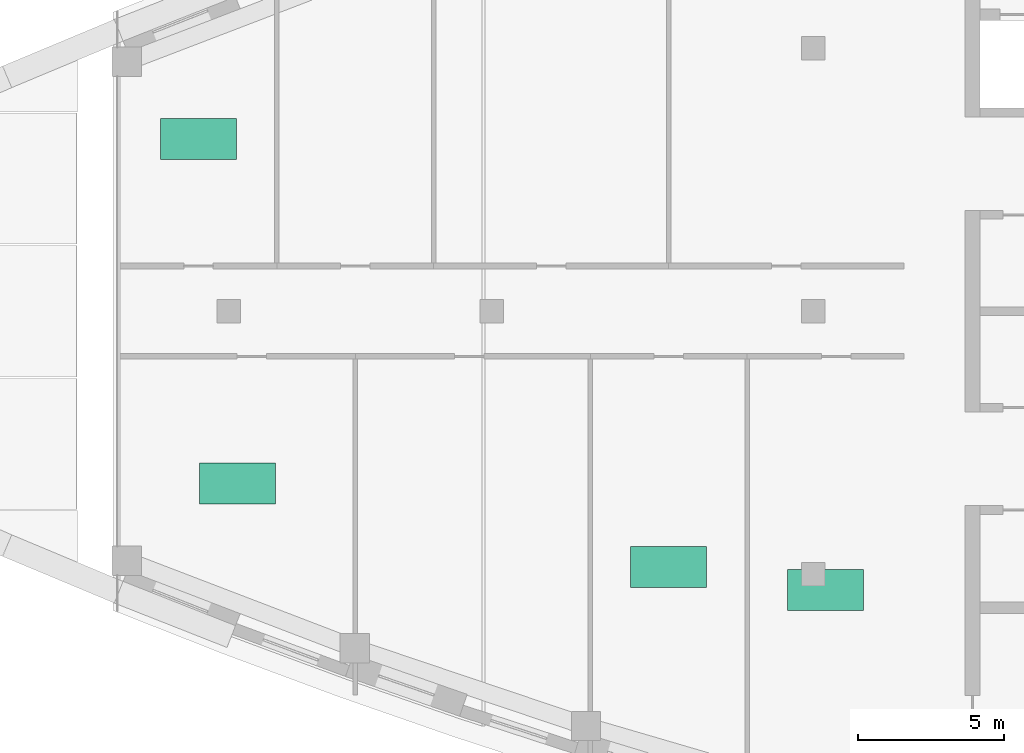
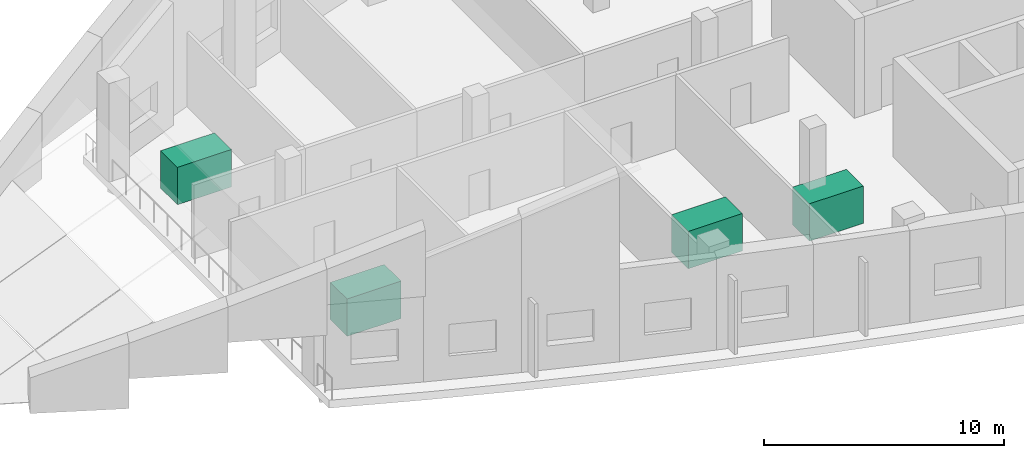
# One storey, part 8 of 8: 4 fans.
"""IFC4 building model written with IfcOpenShell, lengths in metres."""

from ifc_helpers import new_model, si_unit, direction, frame, origin, origin_2d, place, context, subcontext, project, spatial, rectangle, extrude, material, type_object, element, save


model = new_model("IFC4")

# Units and contexts
model_context = context("Model", 3, precision=1e-05, world=origin(), true_north=direction((0.0, 1.0)))
body_context = subcontext(model_context, "Body", "Model", "MODEL_VIEW")
ifc_project = project(units=[si_unit("LENGTHUNIT", "METRE"), si_unit("AREAUNIT", "SQUARE_METRE"), si_unit("VOLUMEUNIT", "CUBIC_METRE"), si_unit("PLANEANGLEUNIT", "RADIAN"), si_unit("MASSUNIT", "GRAM", prefix="KILO")], contexts=[model_context])

# Site, building, storey
site_placement = place(None, origin())
site = spatial("IfcSite", under=ifc_project, at=site_placement, CompositionType="ELEMENT")
building_placement = place(site_placement, origin())
building = spatial("IfcBuilding", under=site, at=building_placement, Name="Ostrand Prow Hotel Tower", CompositionType="ELEMENT")
storey_placement = place(building_placement, frame((0.0, 0.0, 327.39990234375)))
storey = spatial("IfcBuildingStorey", under=building, at=storey_placement, Name="C5", CompositionType="ELEMENT", Elevation=327.39990234375)

# Fans
ifc_material = material(Name="Painted steel", Category="steel")
fan_type = type_object("IfcFanType", Name="Air handling fan unit 2600x1400", PredefinedType="CENTRIFUGALAIRFOIL", material=ifc_material)
for number, where, z_axis, x_axis, name in (
    (1, (25.30908203125, -5.8994140625, 0.000244140625), (0.0, 0.0, 1.0), (1.0, 0.0, 0.0), "Air Air Handling Plant Room"),
    (2, (40.05615234375, -8.751953125, 0.000244140625), (0.0, 0.0, 1.0), (1.0, 0.0, 0.0), "Air Mechanical Bms Room"),
    (3, (45.418701171875, -9.53857421875, 0.000244140625), (0.0, 0.0, 1.0), (1.0, 0.0, 0.0), "Air Mechanical Plant Store"),
    (4, (23.968505859375, 5.898193359375, 0.000244140625), (0.0, 0.0, 1.0), (1.0, 0.0, 0.0), "Air Mechanical Plant Store"),
):
    element("IfcFan", number, at=place(storey_placement, frame(where, z_axis=z_axis, x_axis=x_axis)), inside=storey, type_object=fan_type, Name=name, PredefinedType="CENTRIFUGALAIRFOIL", context=body_context, shape_type="SweptSolid", body=[
        extrude(rectangle(XDim=2.60009765625, YDim=1.39990234375, at=origin_2d()), origin(), (0.0, 0.0, 1.0), 1.89990234375),
    ])

save(model, "model.ifc")
